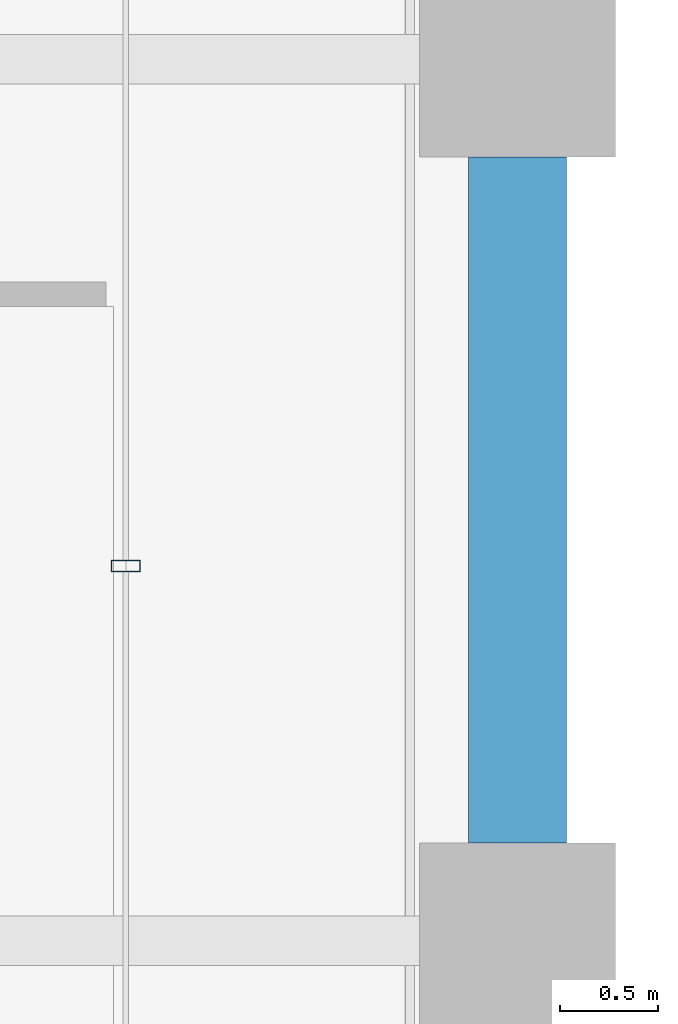
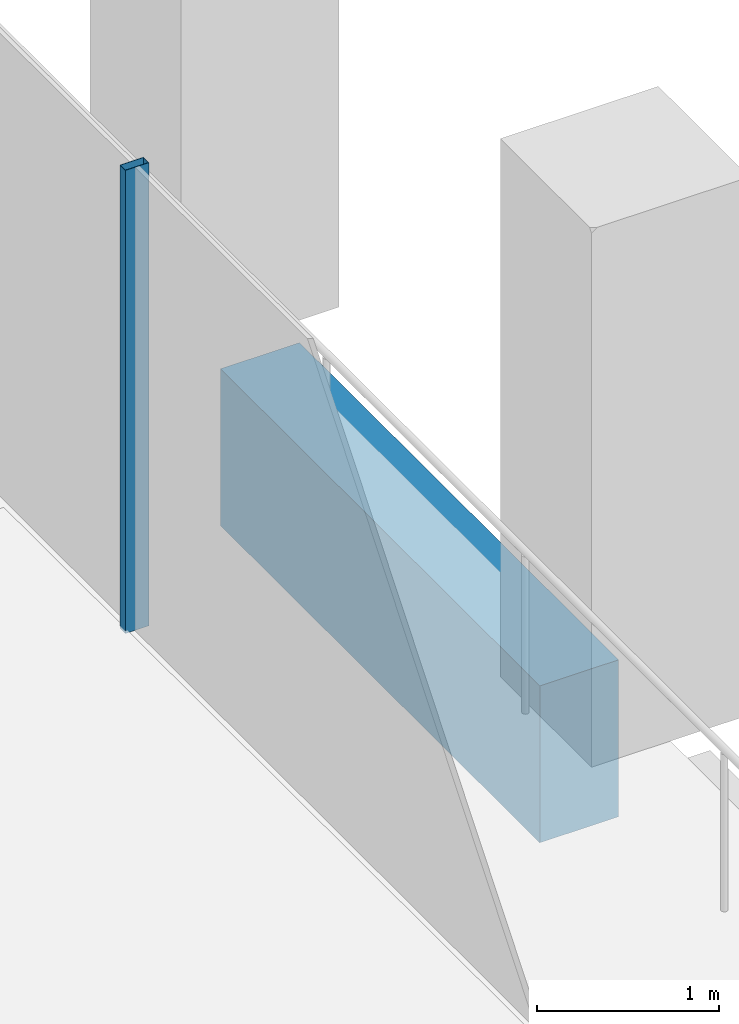
# One storey, part 17 of 46: 1 beam, 1 member, 1 element without a shape of its own.
"""IFC4 building model written with IfcOpenShell, lengths in metres."""

from ifc_helpers import new_model, si_unit, direction, frame, origin, origin_2d, place, context, subcontext, project, spatial, rectangle, hollow_rectangle, extrude, material, material_profile, profile_set, type_object, element, aggregate, save


model = new_model("IFC4")

# Units and contexts
model_context = context("Model", 3, precision=1e-05, world=origin(), true_north=direction((0.0, 1.0)))
body_context = subcontext(model_context, "Body", "Model", "MODEL_VIEW")
ifc_project = project(units=[si_unit("LENGTHUNIT", "METRE"), si_unit("AREAUNIT", "SQUARE_METRE"), si_unit("VOLUMEUNIT", "CUBIC_METRE"), si_unit("PLANEANGLEUNIT", "RADIAN"), si_unit("MASSUNIT", "GRAM", prefix="KILO")], contexts=[model_context])

# Site, building, storey
site_placement = place(None, origin())
site = spatial("IfcSite", under=ifc_project, at=site_placement, CompositionType="ELEMENT")
building_placement = place(site_placement, origin())
building = spatial("IfcBuilding", under=site, at=building_placement, Name="Altepetl Exchange Towers", CompositionType="ELEMENT")
storey_placement = place(building_placement, frame((0.0, 0.0, 120.800048828125)))
storey = spatial("IfcBuildingStorey", under=building, at=storey_placement, Name="L29", CompositionType="ELEMENT", Elevation=120.800048828125)

# Curtain wall, member
ifc_material_1 = material(Name="Aluminium 6063-T6 glazing", Category="aluminium")
curtain_wall_type = type_object("IfcCurtainWallType", Name="Loggia glazing system", PredefinedType="NOTDEFINED", material=ifc_material_1)
curtain_wall_placement = place(storey_placement, origin())
curtain_wall = element("IfcCurtainWall", 1, at=curtain_wall_placement, inside=storey, type_object=curtain_wall_type, Name="CW1 run", PredefinedType="NOTDEFINED")
ifc_material_2 = material(Name="Aluminium 6063-T6", Category="aluminium")
ifc_material_profile_1 = material_profile(ifc_material_2, hollow_rectangle(XDim=0.06005859375, YDim=0.14990234375, WallThickness=0.0029296875, at=origin_2d()), Name="Mullion 60x150 aluminium")
ifc_profile_set_1 = profile_set([ifc_material_profile_1], Name="Aluminium 6063-T6")
member_type = type_object("IfcMemberType", Name="Mullion 60x150 aluminium", PredefinedType="MULLION", material=ifc_profile_set_1)
member_placement = place(storey_placement, frame((70.0, 46.9130859375, 0.0), z_axis=(0.0, 0.0, 1.0), x_axis=(0.0, 1.0, 0.0)))
member = element("IfcMember", 2, at=member_placement, type_object=member_type, Name="MU1 mullion", PredefinedType="MULLION", context=body_context, shape_type="SweptSolid", body=[
    extrude(hollow_rectangle(XDim=0.06005859375, YDim=0.14990234375, WallThickness=0.0029296875, at=origin_2d()), origin(), (0.0, 0.0, 1.0), 3.099853515625),
])
aggregate(curtain_wall, [member])

# Beam
ifc_material_3 = material(Name="Concrete C50/60 precast with cantera amarilla facing", Category="concrete")
ifc_material_profile_2 = material_profile(ifc_material_3, rectangle(XDim=0.5, YDim=1.050048828125, at=origin_2d()), Name="500 x 1050")
ifc_profile_set_2 = profile_set([ifc_material_profile_2], Name="Concrete C50/60 precast with cantera amarilla facing")
beam_type = type_object("IfcBeamType", Name="Spandrel beam 500x1050 cantera amarilla", PredefinedType="SPANDREL", material=ifc_profile_set_2)
beam_placement = place(storey_placement, frame((72.0, 45.5, -0.675048828125), z_axis=(0.0, 1.0, 0.0), x_axis=(-1.0, 0.0, 0.0)))
element("IfcBeam", 3, at=beam_placement, inside=storey, type_object=beam_type, Name="sp:A:L29:015", PredefinedType="SPANDREL", context=body_context, shape_type="SweptSolid", body=[
    extrude(rectangle(XDim=0.5, YDim=1.050048828125, at=origin_2d()), origin(), (0.0, 0.0, 1.0), 3.5),
])

save(model, "model.ifc")
